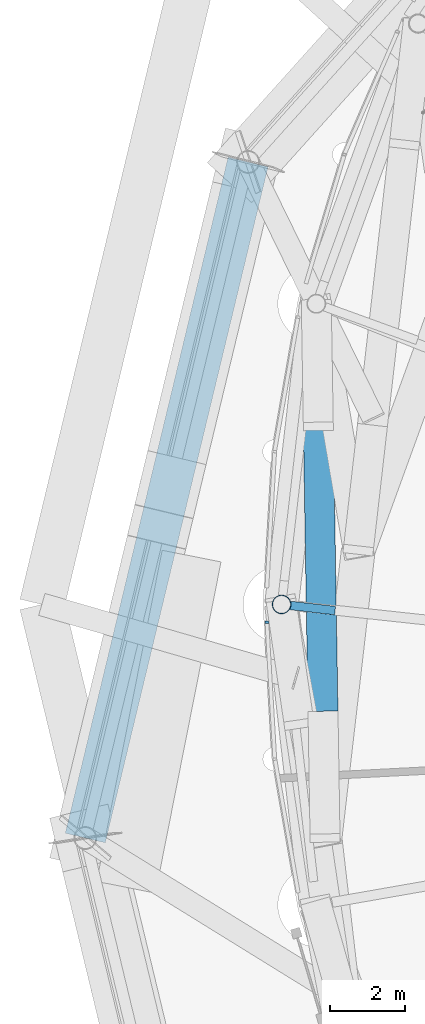
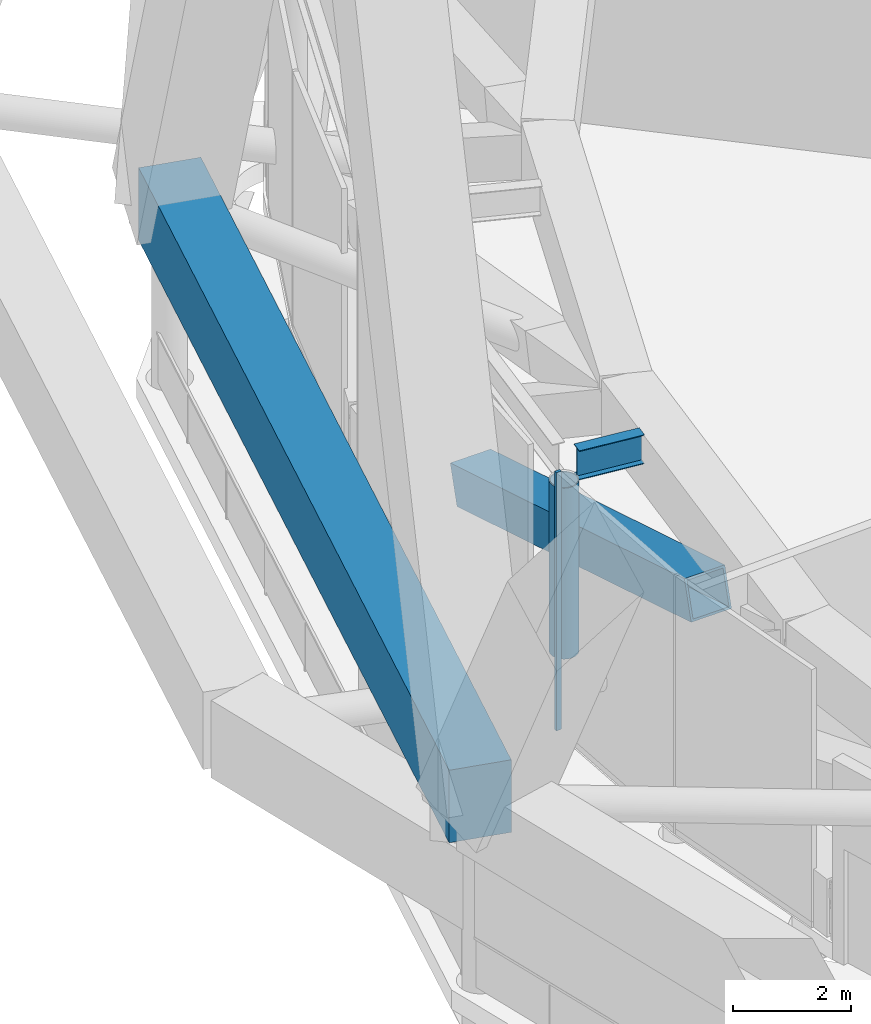
# One storey, part 18 of 65: 3 members, 2 beams, 1 element without a shape of its own.
"""IFC4 building model written with IfcOpenShell, lengths in metres."""

import ifcopenshell
import ifcopenshell.guid

model = None  # the IFC model being written
_history = None  # IfcOwnerHistory: only IFC2X3 demands one
_inside = {}  # id of a spatial element -> (the spatial element, [elements in it])
_under = {}  # id of a project, library or spatial element -> (it, [spatial elements below it])
_declared = {}  # id of a project -> (the project, [libraries it declares])
_typed = {}  # id of a type object -> (the type object, [elements of that type])
_made_of = {}  # id of a material, layer set ... -> (it, [elements and type objects made of it])


def new_model(schema):
    """Start an empty IFC model of exactly this schema.

    Asked for "IFC4X3", IfcOpenShell would pick the latest addendum, in which some entities
    have other attributes; the version numbers below select the first issue.
    IFC2X3 requires an IfcOwnerHistory on every rooted entity: one is made here for all.
    """
    global model, _history
    if schema == "IFC4X3":
        model = ifcopenshell.file(schema_version=(4, 3, 0, 0))
    else:
        model = ifcopenshell.file(schema=schema)
    _inside.clear()
    _under.clear()
    _declared.clear()
    _typed.clear()
    _made_of.clear()
    _history = None
    if model.schema == "IFC2X3":
        org = make("IfcOrganization", Name="unknown")
        user = make(
            "IfcPersonAndOrganization",
            ThePerson=make("IfcPerson", FamilyName="unknown"),
            TheOrganization=org,
        )
        app = make(
            "IfcApplication",
            ApplicationDeveloper=org,
            Version="unknown",
            ApplicationFullName="unknown",
            ApplicationIdentifier="unknown",
        )
        _history = make(
            "IfcOwnerHistory",
            OwningUser=user,
            OwningApplication=app,
            ChangeAction="ADDED",
            CreationDate=0,
        )
    return model


def make(cls, **values):
    """One entity of the class cls with the attributes given. An attribute that is None is left unset."""
    return model.create_entity(
        cls, **{name: value for name, value in values.items() if value is not None}
    )


def rooted(cls, **values):
    """An entity with a GlobalId (a new one), such as an element, a storey or a relation."""
    return make(cls, GlobalId=ifcopenshell.guid.new(), OwnerHistory=_history, **values)


def si_unit(unit_type, name, prefix=None):
    """IfcSIUnit, for example si_unit("LENGTHUNIT", "METRE", prefix="MILLI")."""
    return make("IfcSIUnit", UnitType=unit_type, Prefix=prefix, Name=name)


def assignment(units):
    """IfcUnitAssignment: the units of a project."""
    return None if units is None else make("IfcUnitAssignment", Units=units)


def point(xyz):
    """IfcCartesianPoint."""
    return None if xyz is None else make("IfcCartesianPoint", Coordinates=xyz)


def direction(xyz):
    """IfcDirection."""
    return None if xyz is None else make("IfcDirection", DirectionRatios=xyz)


def frame(location, z_axis=None, x_axis=None):
    """IfcAxis2Placement3D, a coordinate frame: its origin and axes. An axis left out is left unset."""
    return make(
        "IfcAxis2Placement3D",
        Location=point(location),
        Axis=direction(z_axis),
        RefDirection=direction(x_axis),
    )


def frame_2d(location, x_axis=None):
    """IfcAxis2Placement2D, a coordinate frame in the plane: its origin and x axis."""
    return make(
        "IfcAxis2Placement2D", Location=point(location), RefDirection=direction(x_axis)
    )


def origin():
    """The frame at (0, 0, 0) with its axes left unset."""
    return frame((0.0, 0.0, 0.0))


def origin_2d():
    """The frame at (0, 0) in the plane with its x axis left unset."""
    return frame_2d((0.0, 0.0))


def place(relative_to, where):
    """IfcLocalPlacement: puts the frame where relative to a parent placement (None: the world)."""
    return make(
        "IfcLocalPlacement", PlacementRelTo=relative_to, RelativePlacement=where
    )


def context(
    kind, dimensions, precision=None, world=None, true_north=None, identifier=None
):
    """IfcGeometricRepresentationContext, for example the 3D "Model" context."""
    return make(
        "IfcGeometricRepresentationContext",
        ContextIdentifier=identifier,
        ContextType=kind,
        CoordinateSpaceDimension=dimensions,
        Precision=precision,
        WorldCoordinateSystem=world,
        TrueNorth=true_north,
    )


def subcontext(parent, identifier, kind, view, scale=None):
    """IfcGeometricRepresentationSubContext, for example "Body" below "Model"."""
    return make(
        "IfcGeometricRepresentationSubContext",
        ContextIdentifier=identifier,
        ContextType=kind,
        ParentContext=parent,
        TargetScale=scale,
        TargetView=view,
    )


def project(units=None, contexts=None):
    """IfcProject with its units and contexts."""
    return rooted(
        "IfcProject",
        Name="project",
        RepresentationContexts=contexts,
        UnitsInContext=assignment(units),
    )


def spatial(cls, under=None, at=None, **own):
    """A site, building, storey or space (cls), placed at a placement, below another one or the project."""
    s = rooted(cls, ObjectPlacement=at, **own)
    if under is not None:
        _under.setdefault(under.id(), (under, []))[1].append(s)
    return s


def profile(cls, at=None, kind="AREA", **sizes):
    """A parametric profile (cls). Its sizes go by their IFC names, for example OverallWidth=200.0."""
    return make(cls, ProfileType=kind, Position=at, **sizes)


def rectangle(**sizes):
    """IfcRectangleProfileDef."""
    return profile("IfcRectangleProfileDef", **sizes)


def hollow_rectangle(**sizes):
    """IfcRectangleHollowProfileDef."""
    return profile("IfcRectangleHollowProfileDef", **sizes)


def hollow_circle(**sizes):
    """IfcCircleHollowProfileDef."""
    return profile("IfcCircleHollowProfileDef", **sizes)


def i_section(**sizes):
    """IfcIShapeProfileDef."""
    return profile("IfcIShapeProfileDef", **sizes)


def extrude(swept, where, along, depth):
    """IfcExtrudedAreaSolid: the profile swept, set in the frame where, extruded along a direction by depth."""
    return make(
        "IfcExtrudedAreaSolid",
        SweptArea=swept,
        Position=where,
        ExtrudedDirection=direction(along),
        Depth=depth,
    )


def shape(context_of_items, identifier, shape_type, items):
    """IfcShapeRepresentation: the items that make up one representation, for example the "Body"."""
    return make(
        "IfcShapeRepresentation",
        ContextOfItems=context_of_items,
        RepresentationIdentifier=identifier,
        RepresentationType=shape_type,
        Items=items,
    )


def material(Name=None, Category=None):
    """IfcMaterial."""
    return make("IfcMaterial", Name=Name, Category=Category)


def layer(
    of_material, thickness, ventilated=None, Name=None, Category=None, Priority=None
):
    """IfcMaterialLayer: one layer of a wall or slab, of a material (None: an air gap)."""
    return make(
        "IfcMaterialLayer",
        Material=of_material,
        LayerThickness=thickness,
        IsVentilated=ventilated,
        Name=Name,
        Category=Category,
        Priority=Priority,
    )


def layer_set(layers, Name=None):
    """IfcMaterialLayerSet."""
    return make("IfcMaterialLayerSet", MaterialLayers=layers, LayerSetName=Name)


def material_profile(
    of_material, cross_section, Name=None, Category=None, Priority=None
):
    """IfcMaterialProfile: a cross section and its material."""
    return make(
        "IfcMaterialProfile",
        Name=Name,
        Material=of_material,
        Profile=cross_section,
        Priority=Priority,
        Category=Category,
    )


def profile_set(profiles, Name=None, composite=None):
    """IfcMaterialProfileSet."""
    return make(
        "IfcMaterialProfileSet",
        Name=Name,
        MaterialProfiles=profiles,
        CompositeProfile=composite,
    )


def made_of(thing, what):
    """Note that an element or type object is made of a material, layer set ...; save() writes the relation."""
    if what is not None:
        _made_of.setdefault(what.id(), (what, []))[1].append(thing)
    return thing


def type_object(cls, material=None, **own):
    """A type object (cls), such as IfcWallType, which elements share."""
    return made_of(rooted(cls, **own), material)


def element(
    cls,
    number,
    at=None,
    inside=None,
    cuts=None,
    type_object=None,
    material=None,
    context=None,
    identifier="Body",
    shape_type=None,
    held_by="IfcProductDefinitionShape",
    body=None,
    shapes=None,
    **own,
):
    """One element of the class cls, such as IfcWall. Its Tag is "e" and its number.

    at: its placement. inside: the storey or other place that contains it. cuts: it is an
    opening in that element (IfcRelVoidsElement). A single representation is given by context,
    identifier, shape_type and body (its items); several are given by shapes. held_by: the class
    of the entity that holds the representations. save() writes the other relations.
    """
    e = rooted(cls, Tag="e%d" % number, ObjectPlacement=at, **own)
    if body is not None:
        shapes = [shape(context, identifier, shape_type, body)]
    if shapes is not None:
        e.Representation = make(held_by, Representations=shapes)
    if inside is not None:
        _inside.setdefault(inside.id(), (inside, []))[1].append(e)
    if cuts is not None:
        rooted(
            "IfcRelVoidsElement", RelatingBuildingElement=cuts, RelatedOpeningElement=e
        )
    if type_object is not None:
        _typed.setdefault(type_object.id(), (type_object, []))[1].append(e)
    return made_of(e, material)


def aggregate(whole, parts):
    """IfcRelAggregates: a whole, such as a stair, and the parts it consists of."""
    return rooted("IfcRelAggregates", RelatingObject=whole, RelatedObjects=parts)


def save(model, path):
    """Write the relations noted so far, then the file.

    IfcRelAggregates (storeys below a building ...), IfcRelContainedInSpatialStructure (elements
    in a storey), IfcRelDefinesByType, IfcRelAssociatesMaterial and IfcRelDeclares: one each for
    every whole, place, type object, material and project.
    """
    for whole, parts in _under.values():
        aggregate(whole, parts)
    for where, things in _inside.values():
        rooted(
            "IfcRelContainedInSpatialStructure",
            RelatedElements=things,
            RelatingStructure=where,
        )
    for kind, things in _typed.values():
        rooted("IfcRelDefinesByType", RelatedObjects=things, RelatingType=kind)
    for what, things in _made_of.values():
        rooted("IfcRelAssociatesMaterial", RelatedObjects=things, RelatingMaterial=what)
    for by, libraries in _declared.values():
        rooted("IfcRelDeclares", RelatingContext=by, RelatedDefinitions=libraries)
    model.write(path)


model = new_model("IFC4")

# Units and contexts
model_context = context("Model", 3, precision=1e-05, world=origin(), true_north=direction((0.0, 1.0)))
body_context = subcontext(model_context, "Body", "Model", "MODEL_VIEW")
ifc_project = project(units=[si_unit("LENGTHUNIT", "METRE"), si_unit("AREAUNIT", "SQUARE_METRE"), si_unit("VOLUMEUNIT", "CUBIC_METRE"), si_unit("PLANEANGLEUNIT", "RADIAN"), si_unit("MASSUNIT", "GRAM", prefix="KILO")], contexts=[model_context])

# Site, building, storey
site_placement = place(None, origin())
site = spatial("IfcSite", under=ifc_project, at=site_placement, CompositionType="ELEMENT")
building_placement = place(site_placement, origin())
building = spatial("IfcBuilding", under=site, at=building_placement, Name="Nagisa Residences", CompositionType="ELEMENT")
storey_placement = place(building_placement, frame((0.0, 0.0, 114.0)))
storey = spatial("IfcBuildingStorey", under=building, at=storey_placement, Name="L28", CompositionType="ELEMENT", Elevation=114.0)

# Beam
ifc_material_1 = material(Name="Steel ASTM A572 Gr 50", Category="steel")
ifc_material_profile_1 = material_profile(ifc_material_1, hollow_rectangle(XDim=0.800048828125, YDim=0.800048828125, WallThickness=0.044921875, at=origin_2d()), Name="BX 800x800x45")
ifc_profile_set_1 = profile_set([ifc_material_profile_1], Name="Steel ASTM A572 Gr 50")
beam_type_1 = type_object("IfcBeamType", Name="Belt diagonal 2 BX 800x800x45", PredefinedType="BEAM", material=ifc_profile_set_1)
beam_1_placement = place(storey_placement, frame((-28.014892578125, 7.8720703125, 1.550048828125), z_axis=(0.01573619412, -0.960242007598, 0.278725059942), x_axis=(0.999865748067, 0.016385537584, 0.0)))
element("IfcBeam", 1, at=beam_1_placement, inside=storey, type_object=beam_type_1, Name="beam:L28:bt2db12", PredefinedType="BEAM", context=body_context, shape_type="SweptSolid", body=[
    extrude(hollow_rectangle(XDim=0.800048828125, YDim=0.800048828125, WallThickness=0.044921875, at=origin_2d()), origin(), (0.0, 0.0, 1.0), 8.03662109375),
])

# Curtain wall, member
ifc_material_2 = material(Name="Aluminium curtain wall system", Category="aluminium")
ifc_layer = layer(ifc_material_2, 0.159912109375)
ifc_layer_set = layer_set([ifc_layer], Name="CW5 CURTAIN WALL")
curtain_wall_type = type_object("IfcCurtainWallType", Name="CW5 CURTAIN WALL", PredefinedType="NOTDEFINED", material=ifc_layer_set)
curtain_wall_placement = place(storey_placement, origin())
curtain_wall = element("IfcCurtainWall", 2, at=curtain_wall_placement, inside=storey, type_object=curtain_wall_type, Name="cw:CW5:L28:24", PredefinedType="NOTDEFINED")
ifc_material_3 = material(Name="Aluminium", Category="aluminium")
ifc_material_profile_2 = material_profile(ifc_material_3, rectangle(XDim=0.10009765625, YDim=0.06005859375, at=origin_2d()), Name="CW5 MULLION 100x60")
ifc_profile_set_2 = profile_set([ifc_material_profile_2], Name="Aluminium")
member_type_1 = type_object("IfcMemberType", Name="CW5 MULLION 100x60", PredefinedType="MULLION", material=ifc_profile_set_2)
member_1_placement = place(storey_placement, frame((-29.387451171875, 2.64306640625, 0.0), z_axis=(0.0, 0.0, 1.0), x_axis=(0.998345305184, 0.057503492216, 0.0)))
member_1 = element("IfcMember", 3, at=member_1_placement, type_object=member_type_1, Name="CW5 mullion", PredefinedType="MULLION", context=body_context, shape_type="SweptSolid", body=[
    extrude(rectangle(XDim=0.10009765625, YDim=0.06005859375, at=origin_2d()), origin(), (0.0, 0.0, 1.0), 5.340087890625),
])
aggregate(curtain_wall, [member_1])

# Members
ifc_material_4 = material(Name="Concrete C80", Category="concrete")
ifc_material_profile_3 = material_profile(ifc_material_4, rectangle(XDim=1.10009765625, YDim=1.5, at=origin_2d()), Name="C80 1100x1500")
ifc_profile_set_3 = profile_set([ifc_material_profile_3], Name="Concrete C80")
member_type_2 = type_object("IfcMemberType", Name="Cage ring 3 C80 1100x1500", PredefinedType="CHORD", material=ifc_profile_set_3)
member_2_placement = place(storey_placement, frame((-29.8896484375, 14.9296875, 3.699951171875), z_axis=(-0.234090672254, -0.972214769052, 0.0), x_axis=(0.972214769052, -0.234090672254, 0.0)))
element("IfcMember", 4, at=member_2_placement, inside=storey, type_object=member_type_2, Name="beam:L28:cg3r006", PredefinedType="CHORD", context=body_context, shape_type="SweptSolid", body=[
    extrude(rectangle(XDim=1.10009765625, YDim=1.5, at=origin_2d()), origin(), (0.0, 0.0, 1.0), 18.563232421875),
])
ifc_material_5 = material(Name="Steel ASTM A572 Gr 65", Category="steel")
ifc_material_profile_4 = material_profile(ifc_material_5, hollow_circle(Radius=0.25390625, WallThickness=0.02001953125, at=origin_2d()), Name="CHS 508x20")
ifc_profile_set_4 = profile_set([ifc_material_profile_4], Name="Steel ASTM A572 Gr 65")
member_type_3 = type_object("IfcMemberType", Name="Garden edge post CHS 508x20", PredefinedType="POST", material=ifc_profile_set_4)
member_3_placement = place(storey_placement, frame((-28.9951171875, 3.11767578125, 1.199951171875), z_axis=(0.0, 0.0, 1.0), x_axis=(1.0, 0.0, 0.0)))
element("IfcMember", 5, at=member_3_placement, inside=storey, type_object=member_type_3, Name="mem:L28:gp213", PredefinedType="POST", context=body_context, shape_type="SweptSolid", body=[
    extrude(hollow_circle(Radius=0.25390625, WallThickness=0.02001953125, at=origin_2d()), origin(), (0.0, 0.0, 1.0), 3.537109375),
])

# Beam
ifc_material_6 = material(Name="Steel ASTM A572 Gr 50", Category="steel")
ifc_material_profile_5 = material_profile(ifc_material_6, i_section(OverallWidth=0.22802734375, OverallDepth=0.60302734375, WebThickness=0.010498046875, FlangeThickness=0.014892578125, at=origin_2d()), Name="W610x101")
ifc_profile_set_5 = profile_set([ifc_material_profile_5], Name="Steel ASTM A572 Gr 50")
beam_type_2 = type_object("IfcBeamType", Name="Garden radial beam W610x101", PredefinedType="BEAM", material=ifc_profile_set_5)
beam_2_placement = place(storey_placement, frame((-28.762451171875, 3.0908203125, 5.03857421875), z_axis=(0.99340715851, -0.114639510735, 0.0), x_axis=(0.114639510735, 0.99340715851, 0.0)))
element("IfcBeam", 6, at=beam_2_placement, inside=storey, type_object=beam_type_2, Name="beam:L28:bt2gr13", PredefinedType="BEAM", context=body_context, shape_type="SweptSolid", body=[
    extrude(i_section(OverallWidth=0.22802734375, OverallDepth=0.60302734375, WebThickness=0.010498046875, FlangeThickness=0.014892578125, at=origin_2d()), origin(), (0.0, 0.0, 1.0), 1.203125),
])

save(model, "model.ifc")
